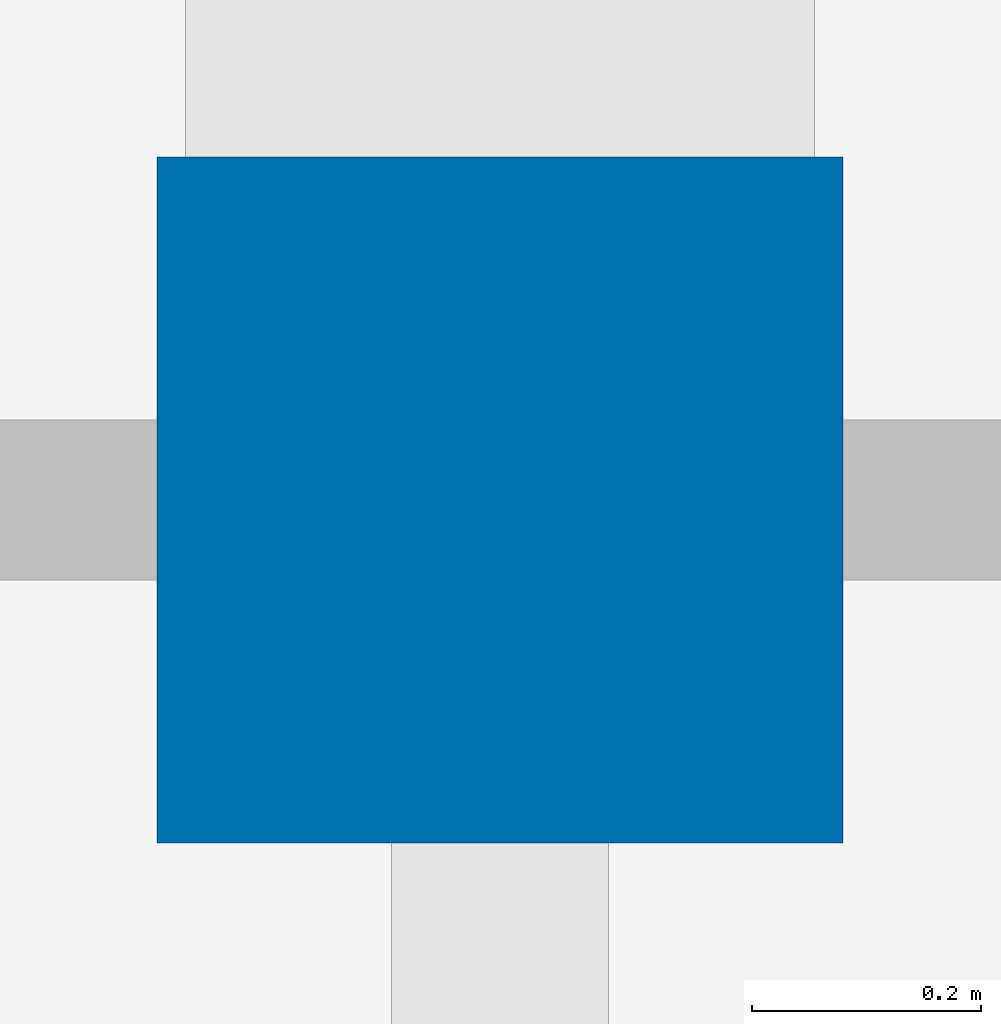
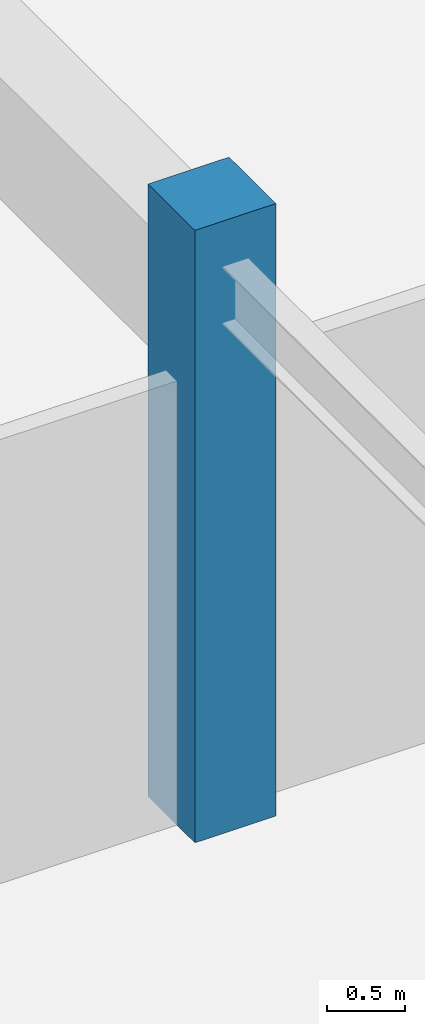
# One storey, part 2 of 226: 1 column.
"""IFC4 building model written with IfcOpenShell, lengths in metres."""

from ifc_helpers import new_model, si_unit, direction, frame, origin, origin_2d, place, context, subcontext, project, spatial, rectangle, extrude, material, material_profile, profile_set, type_object, element, save


model = new_model("IFC4")

# Units and contexts
model_context = context("Model", 3, precision=1e-05, world=origin(), true_north=direction((0.0, 1.0)))
body_context = subcontext(model_context, "Body", "Model", "MODEL_VIEW")
ifc_project = project(units=[si_unit("LENGTHUNIT", "METRE"), si_unit("AREAUNIT", "SQUARE_METRE"), si_unit("VOLUMEUNIT", "CUBIC_METRE"), si_unit("PLANEANGLEUNIT", "RADIAN"), si_unit("MASSUNIT", "GRAM", prefix="KILO")], contexts=[model_context])

# Site, building, storey
site_placement = place(None, origin())
site = spatial("IfcSite", under=ifc_project, at=site_placement, CompositionType="ELEMENT")
building_placement = place(site_placement, origin())
building = spatial("IfcBuilding", under=site, at=building_placement, Name="Tarnwether General Hospital", CompositionType="ELEMENT")
storey_placement = place(building_placement, frame((0.0, 0.0, 4.800048828125)))
storey = spatial("IfcBuildingStorey", under=building, at=storey_placement, Name="L01", CompositionType="ELEMENT", Elevation=4.800048828125)

# Column
ifc_material = material(Name="Concrete 50 MPa", Category="concrete")
ifc_material_profile = material_profile(ifc_material, rectangle(XDim=0.60009765625, YDim=0.60009765625, at=origin_2d()), Name="RC-COL-600x600")
ifc_profile_set = profile_set([ifc_material_profile], Name="Concrete 50 MPa")
column_type = type_object("IfcColumnType", Name="COL-19", PredefinedType="COLUMN", material=ifc_profile_set)
column_placement = place(storey_placement, frame((60.0, 21.60009765625, 0.0), z_axis=(0.0, 0.0, 1.0), x_axis=(0.0, 1.0, 0.0)))
element("IfcColumn", 1, at=column_placement, inside=storey, type_object=column_type, Name="Column COLG-L01-6000_2160", PredefinedType="COLUMN", context=body_context, shape_type="SweptSolid", body=[
    extrude(rectangle(XDim=0.60009765625, YDim=0.60009765625, at=origin_2d()), origin(), (0.0, 0.0, 1.0), 4.800048828125),
])

save(model, "model.ifc")
